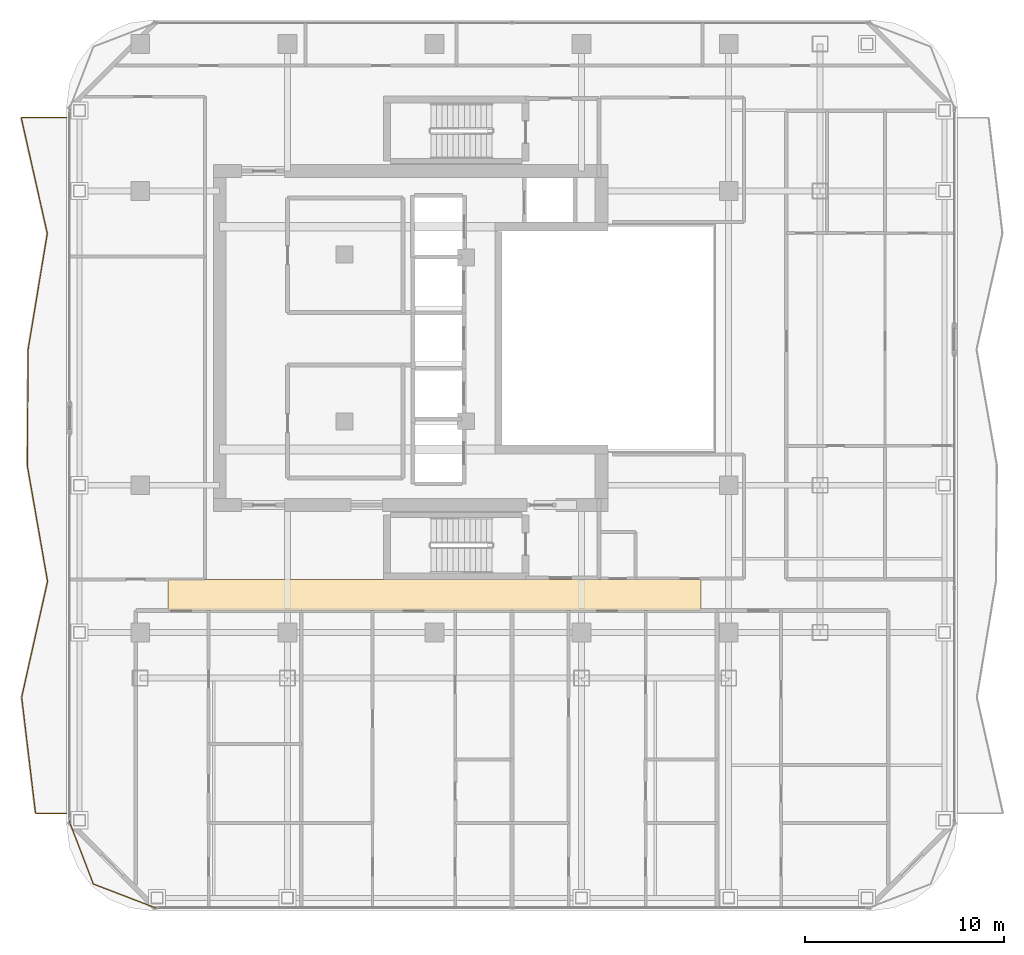
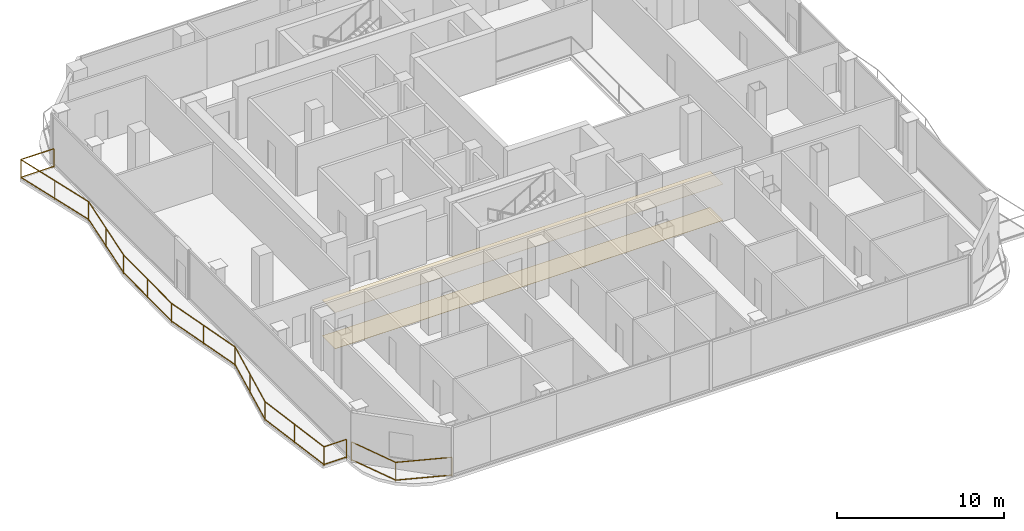
# One storey, part 24 of 26: 2 coverings, 2 railings.
"""IFC4 building model written with IfcOpenShell, lengths in metres."""

from ifc_helpers import new_model, si_unit, direction, frame, origin, origin_2d, place, context, subcontext, project, spatial, polyline, rectangle, outline, extrude, material, layer, layer_set, type_object, element, save


model = new_model("IFC4")

# Units and contexts
model_context = context("Model", 3, precision=1e-05, world=origin(), true_north=direction((0.0, 1.0)))
body_context = subcontext(model_context, "Body", "Model", "MODEL_VIEW")
ifc_project = project(units=[si_unit("LENGTHUNIT", "METRE"), si_unit("AREAUNIT", "SQUARE_METRE"), si_unit("VOLUMEUNIT", "CUBIC_METRE"), si_unit("PLANEANGLEUNIT", "RADIAN"), si_unit("MASSUNIT", "GRAM", prefix="KILO")], contexts=[model_context])

# Site, building, storey
site_placement = place(None, origin())
site = spatial("IfcSite", under=ifc_project, at=site_placement, CompositionType="ELEMENT")
building_placement = place(site_placement, origin())
building = spatial("IfcBuilding", under=site, at=building_placement, Name="Khorvyn Point Tower", CompositionType="ELEMENT")
storey_placement = place(building_placement, frame((0.0, 0.0, 250.800048828125)))
storey = spatial("IfcBuildingStorey", under=building, at=storey_placement, Name="L61", CompositionType="ELEMENT", Elevation=250.800048828125)

# Railings
ifc_material_1 = material(Name="Anodised aluminium 6063-T6 and laminated safety glass", Category="aluminium")
railing_type = type_object("IfcRailingType", Name="Laminated Glass and Aluminium Balcony Guardrail 1400", PredefinedType="BALUSTRADE", material=ifc_material_1)
railing_1_placement = place(storey_placement, frame((-18.374267578125, -24.28125, 0.0)))
element("IfcRailing", 1, at=railing_1_placement, inside=storey, type_object=railing_type, Name="L61 Rounded Corner Edge Guardrail SW", PredefinedType="BALUSTRADE", context=body_context, shape_type="SweptSolid", body=[
    extrude(rectangle(XDim=0.048095703125, YDim=0.048095703125, at=origin_2d()), frame((0.0, 0.0, 1.3759765625), z_axis=(0.358343916815, -0.933589651443, 0.0), x_axis=(0.933589651443, 0.358343916815, 0.0)), (0.0, 0.0, 1.0), 3.400390625),
    extrude(rectangle(XDim=0.048095703125, YDim=0.048095703125, at=origin_2d()), frame((0.0, 0.0, 0.080078125), z_axis=(0.358343916815, -0.933589651443, 0.0), x_axis=(0.933589651443, 0.358343916815, 0.0)), (0.0, 0.0, 1.0), 3.400390625),
    extrude(rectangle(XDim=0.048095703125, YDim=0.048095703125, at=origin_2d()), frame((1.218505859375, -3.174560546875, 1.3759765625), z_axis=(0.933589651443, -0.358343916815, 0.0), x_axis=(0.358343916815, 0.933589651443, 0.0)), (0.0, 0.0, 1.0), 3.400390625),
    extrude(rectangle(XDim=0.048095703125, YDim=0.048095703125, at=origin_2d()), frame((1.218505859375, -3.174560546875, 0.080078125), z_axis=(0.933589651443, -0.358343916815, 0.0), x_axis=(0.358343916815, 0.933589651443, 0.0)), (0.0, 0.0, 1.0), 3.400390625),
    extrude(rectangle(XDim=0.0419921875, YDim=0.0419921875, at=origin_2d()), origin(), (0.0, 0.0, 1.0), 1.351806640625),
    extrude(rectangle(XDim=0.0419921875, YDim=0.0419921875, at=origin_2d()), frame((1.218505859375, -3.174560546875, 0.0)), (0.0, 0.0, 1.0), 1.351806640625),
    extrude(rectangle(XDim=0.0419921875, YDim=0.0419921875, at=origin_2d()), frame((4.39306640625, -4.39306640625, 0.0)), (0.0, 0.0, 1.0), 1.351806640625),
])
railing_2_placement = place(storey_placement, frame((-18.5, 11.10009765625, 0.0)))
element("IfcRailing", 2, at=railing_2_placement, inside=storey, type_object=railing_type, Name="L61 West Balcony Guardrail", PredefinedType="BALUSTRADE", context=body_context, shape_type="SweptSolid", body=[
    extrude(rectangle(XDim=0.048095703125, YDim=0.048095703125, at=origin_2d()), frame((0.0, 0.0, 1.3759765625), z_axis=(-1.0, 0.0, 0.0), x_axis=(0.0, -1.0, 0.0)), (0.0, 0.0, 1.0), 2.285400390625),
    extrude(rectangle(XDim=0.048095703125, YDim=0.048095703125, at=origin_2d()), frame((0.0, 0.0, 0.080078125), z_axis=(-1.0, 0.0, 0.0), x_axis=(0.0, -1.0, 0.0)), (0.0, 0.0, 1.0), 2.285400390625),
    extrude(rectangle(XDim=0.048095703125, YDim=0.048095703125, at=origin_2d()), frame((-2.285400390625, 0.0, 1.3759765625), z_axis=(0.219817239726, -0.975541070955, 0.0), x_axis=(0.975541070955, 0.219817239726, 0.0)), (0.0, 0.0, 1.0), 5.979736328125),
    extrude(rectangle(XDim=0.048095703125, YDim=0.048095703125, at=origin_2d()), frame((-2.285400390625, 0.0, 0.080078125), z_axis=(0.219817239726, -0.975541070955, 0.0), x_axis=(0.975541070955, 0.219817239726, 0.0)), (0.0, 0.0, 1.0), 5.979736328125),
    extrude(rectangle(XDim=0.048095703125, YDim=0.048095703125, at=origin_2d()), frame((-0.970947265625, -5.83349609375, 1.3759765625), z_axis=(-0.163026103585, -0.98662175607, 0.0), x_axis=(0.98662175607, -0.163026103585, 0.0)), (0.0, 0.0, 1.0), 5.912353515625),
    extrude(rectangle(XDim=0.048095703125, YDim=0.048095703125, at=origin_2d()), frame((-0.970947265625, -5.83349609375, 0.080078125), z_axis=(-0.163026103585, -0.98662175607, 0.0), x_axis=(0.98662175607, -0.163026103585, 0.0)), (0.0, 0.0, 1.0), 5.912353515625),
    extrude(rectangle(XDim=0.048095703125, YDim=0.048095703125, at=origin_2d()), frame((-1.934814453125, -11.666748046875, 1.3759765625), z_axis=(-0.00744967399, -0.999972250794, 0.0), x_axis=(0.999972250794, -0.00744967399, 0.0)), (0.0, 0.0, 1.0), 5.83349609375),
    extrude(rectangle(XDim=0.048095703125, YDim=0.048095703125, at=origin_2d()), frame((-1.934814453125, -11.666748046875, 0.080078125), z_axis=(-0.00744967399, -0.999972250794, 0.0), x_axis=(0.999972250794, -0.00744967399, 0.0)), (0.0, 0.0, 1.0), 5.83349609375),
    extrude(rectangle(XDim=0.048095703125, YDim=0.048095703125, at=origin_2d()), frame((-1.978271484375, -17.5, 1.3759765625), z_axis=(0.17240233163, -0.985026616924, 0.0), x_axis=(0.985026616924, 0.17240233163, 0.0)), (0.0, 0.0, 1.0), 5.922119140625),
    extrude(rectangle(XDim=0.048095703125, YDim=0.048095703125, at=origin_2d()), frame((-1.978271484375, -17.5, 0.080078125), z_axis=(0.17240233163, -0.985026616924, 0.0), x_axis=(0.985026616924, 0.17240233163, 0.0)), (0.0, 0.0, 1.0), 5.922119140625),
    extrude(rectangle(XDim=0.048095703125, YDim=0.048095703125, at=origin_2d()), frame((-0.957275390625, -23.33349609375, 1.3759765625), z_axis=(-0.217998588046, -0.975949084538, 0.0), x_axis=(0.975949084538, -0.217998588046, 0.0)), (0.0, 0.0, 1.0), 5.97705078125),
    extrude(rectangle(XDim=0.048095703125, YDim=0.048095703125, at=origin_2d()), frame((-0.957275390625, -23.33349609375, 0.080078125), z_axis=(-0.217998588046, -0.975949084538, 0.0), x_axis=(0.975949084538, -0.217998588046, 0.0)), (0.0, 0.0, 1.0), 5.97705078125),
    extrude(rectangle(XDim=0.048095703125, YDim=0.048095703125, at=origin_2d()), frame((-2.26025390625, -29.166748046875, 1.3759765625), z_axis=(0.118688010745, -0.992931596891, 0.0), x_axis=(0.992931596891, 0.118688010745, 0.0)), (0.0, 0.0, 1.0), 5.874755859375),
    extrude(rectangle(XDim=0.048095703125, YDim=0.048095703125, at=origin_2d()), frame((-2.26025390625, -29.166748046875, 0.080078125), z_axis=(0.118688010745, -0.992931596891, 0.0), x_axis=(0.992931596891, 0.118688010745, 0.0)), (0.0, 0.0, 1.0), 5.874755859375),
    extrude(rectangle(XDim=0.048095703125, YDim=0.048095703125, at=origin_2d()), frame((-1.56298828125, -35.0, 1.3759765625), z_axis=(1.0, 0.0, 0.0), x_axis=(0.0, 1.0, 0.0)), (0.0, 0.0, 1.0), 1.56298828125),
    extrude(rectangle(XDim=0.048095703125, YDim=0.048095703125, at=origin_2d()), frame((-1.56298828125, -35.0, 0.080078125), z_axis=(1.0, 0.0, 0.0), x_axis=(0.0, 1.0, 0.0)), (0.0, 0.0, 1.0), 1.56298828125),
    extrude(rectangle(XDim=0.0419921875, YDim=0.0419921875, at=origin_2d()), origin(), (0.0, 0.0, 1.0), 1.351806640625),
    extrude(rectangle(XDim=0.0419921875, YDim=0.0419921875, at=origin_2d()), frame((-2.285400390625, 0.0, 0.0)), (0.0, 0.0, 1.0), 1.351806640625),
    extrude(rectangle(XDim=0.0419921875, YDim=0.0419921875, at=origin_2d()), frame((-1.628173828125, -2.916748046875, 0.0)), (0.0, 0.0, 1.0), 1.351806640625),
    extrude(rectangle(XDim=0.0419921875, YDim=0.0419921875, at=origin_2d()), frame((-0.970947265625, -5.83349609375, 0.0)), (0.0, 0.0, 1.0), 1.351806640625),
    extrude(rectangle(XDim=0.0419921875, YDim=0.0419921875, at=origin_2d()), frame((-1.452880859375, -8.75, 0.0)), (0.0, 0.0, 1.0), 1.351806640625),
    extrude(rectangle(XDim=0.0419921875, YDim=0.0419921875, at=origin_2d()), frame((-1.934814453125, -11.666748046875, 0.0)), (0.0, 0.0, 1.0), 1.351806640625),
    extrude(rectangle(XDim=0.0419921875, YDim=0.0419921875, at=origin_2d()), frame((-1.95654296875, -14.58349609375, 0.0)), (0.0, 0.0, 1.0), 1.351806640625),
    extrude(rectangle(XDim=0.0419921875, YDim=0.0419921875, at=origin_2d()), frame((-1.978271484375, -17.5, 0.0)), (0.0, 0.0, 1.0), 1.351806640625),
    extrude(rectangle(XDim=0.0419921875, YDim=0.0419921875, at=origin_2d()), frame((-1.4677734375, -20.416748046875, 0.0)), (0.0, 0.0, 1.0), 1.351806640625),
    extrude(rectangle(XDim=0.0419921875, YDim=0.0419921875, at=origin_2d()), frame((-0.957275390625, -23.33349609375, 0.0)), (0.0, 0.0, 1.0), 1.351806640625),
    extrude(rectangle(XDim=0.0419921875, YDim=0.0419921875, at=origin_2d()), frame((-1.60888671875, -26.25, 0.0)), (0.0, 0.0, 1.0), 1.351806640625),
    extrude(rectangle(XDim=0.0419921875, YDim=0.0419921875, at=origin_2d()), frame((-2.26025390625, -29.166748046875, 0.0)), (0.0, 0.0, 1.0), 1.351806640625),
    extrude(rectangle(XDim=0.0419921875, YDim=0.0419921875, at=origin_2d()), frame((-1.91162109375, -32.08349609375, 0.0)), (0.0, 0.0, 1.0), 1.351806640625),
    extrude(rectangle(XDim=0.0419921875, YDim=0.0419921875, at=origin_2d()), frame((-1.56298828125, -35.0, 0.0)), (0.0, 0.0, 1.0), 1.351806640625),
    extrude(rectangle(XDim=0.0419921875, YDim=0.0419921875, at=origin_2d()), frame((0.0, -35.0, 0.0)), (0.0, 0.0, 1.0), 1.351806640625),
])

# Coverings
ifc_material_2 = material(Name="Mineral-fibre acoustic ceiling board", Category="gypsum")
ifc_layer_1 = layer(ifc_material_2, 0.02001953125)
ifc_layer_set_1 = layer_set([ifc_layer_1], Name="Perforated Mineral-Fibre Acoustic Suspended Ceiling 20")
covering_type_1 = type_object("IfcCoveringType", Name="Perforated Mineral-Fibre Acoustic Suspended Ceiling 20", PredefinedType="CEILING", material=ifc_layer_set_1)
covering_1_placement = place(storey_placement, frame((0.0, 0.0, 2.639892578125)))
element("IfcCovering", 3, at=covering_1_placement, inside=storey, type_object=covering_type_1, Name="L61 South Corridor Acoustic Ceiling", PredefinedType="CEILING", context=body_context, shape_type="SweptSolid", body=[
    extrude(outline(polyline([(-13.39990234375, -13.7099609375), (13.39990234375, -13.7099609375), (13.39990234375, -12.139892578125), (-13.39990234375, -12.139892578125), (-13.39990234375, -13.7099609375)])), origin(), (0.0, 0.0, 1.0), 0.02001953125),
])
ifc_material_3 = material(Name="Vitrified porcelain terrazzo tile", Category="ceramic")
ifc_layer_2 = layer(ifc_material_3, 0.01806640625)
ifc_layer_set_2 = layer_set([ifc_layer_2], Name="Porcelain Terrazzo Corridor Floor Finish Tile 18")
covering_type_2 = type_object("IfcCoveringType", Name="Porcelain Terrazzo Corridor Floor Finish Tile 18", PredefinedType="FLOORING", material=ifc_layer_set_2)
covering_2_placement = place(storey_placement, origin())
element("IfcCovering", 4, at=covering_2_placement, inside=storey, type_object=covering_type_2, Name="L61 South Corridor Terrazzo Flooring", PredefinedType="FLOORING", context=body_context, shape_type="SweptSolid", body=[
    extrude(outline(polyline([(-13.39990234375, -13.7099609375), (13.39990234375, -13.7099609375), (13.39990234375, -12.139892578125), (-13.39990234375, -12.139892578125), (-13.39990234375, -13.7099609375)])), origin(), (0.0, 0.0, 1.0), 0.01806640625),
])

save(model, "model.ifc")
